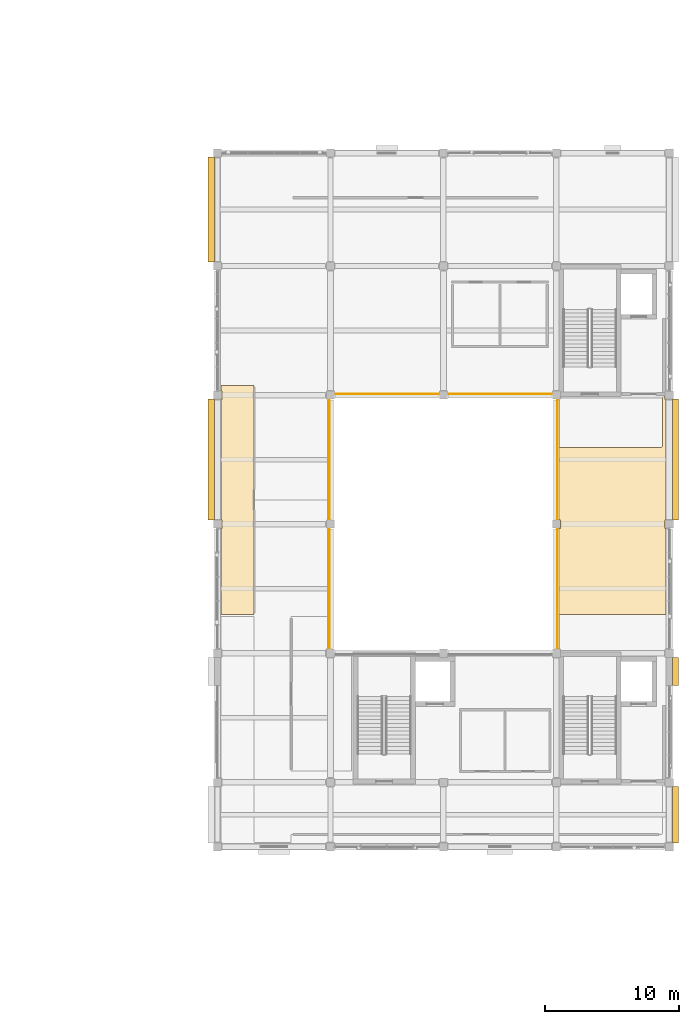
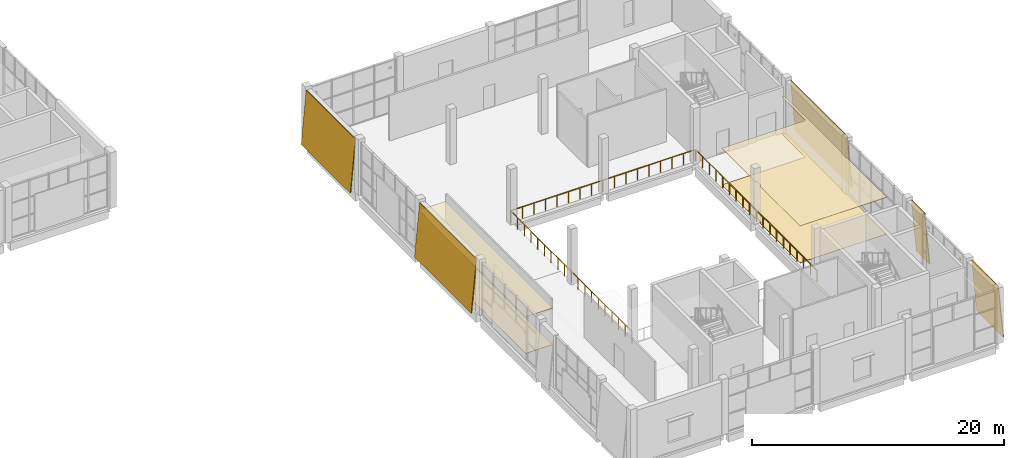
# One storey, part 56 of 57: 9 coverings, 3 railings.
"""IFC4 building model written with IfcOpenShell, lengths in metres."""

from ifc_helpers import new_model, si_unit, direction, frame, origin, origin_2d, place, context, subcontext, project, spatial, polyline, circle, outline, extrude, material, layer, layer_set, type_object, element, save


model = new_model("IFC4")

# Units and contexts
model_context = context("Model", 3, precision=1e-05, world=origin(), true_north=direction((0.0, 1.0)))
body_context = subcontext(model_context, "Body", "Model", "MODEL_VIEW")
ifc_project = project(units=[si_unit("LENGTHUNIT", "METRE"), si_unit("AREAUNIT", "SQUARE_METRE"), si_unit("VOLUMEUNIT", "CUBIC_METRE"), si_unit("PLANEANGLEUNIT", "RADIAN"), si_unit("MASSUNIT", "GRAM", prefix="KILO")], contexts=[model_context])

# Site, building, storey
site_placement = place(None, origin())
site = spatial("IfcSite", under=ifc_project, at=site_placement, CompositionType="ELEMENT")
building_placement = place(site_placement, origin())
building = spatial("IfcBuilding", under=site, at=building_placement, Name="Shalvenor Court Art Gallery", CompositionType="ELEMENT")
storey_placement = place(building_placement, frame((0.0, 0.0, 16.800048828125)))
storey = spatial("IfcBuildingStorey", under=building, at=storey_placement, Name="L03", CompositionType="ELEMENT", Elevation=16.800048828125)

# Coverings
ifc_material_1 = material(Name="Pale Mediterranean limestone cladding", Category="masonry")
ifc_layer_1 = layer(ifc_material_1, 0.080078125, Name="Pale Mediterranean limestone cladding")
ifc_layer_set_1 = layer_set([ifc_layer_1], Name="Pale Mediterranean limestone cladding")
covering_type_1 = type_object("IfcCoveringType", Name="CLD-01", PredefinedType="CLADDING", material=ifc_layer_set_1)
covering_1_placement = place(storey_placement, frame((177.093994140625, 69.89990234375, 0.0), z_axis=(0.0, 0.0, 1.0), x_axis=(0.0, 1.0, 0.0)))
element("IfcCovering", 1, at=covering_1_placement, inside=storey, type_object=covering_type_1, Name="L03 V1 Tapered Limestone Cladding 14", PredefinedType="CLADDING", context=body_context, shape_type="SweptSolid", body=[
    extrude(outline(polyline([(0.0, 0.0), (9.0, 0.0), (9.0, 5.120849609375), (0.0, 5.120849609375), (0.0, 0.0)])), frame((0.0, 0.0, 0.0), z_axis=(0.0, -0.995884398616, 0.090632580198), x_axis=(1.0, 0.0, 0.0)), (0.0, 0.090632580198, -0.995884398616), 0.080322265625),
])
covering_2_placement = place(storey_placement, frame((177.093994140625, 57.60009765625, 0.0), z_axis=(0.0, 0.0, 1.0), x_axis=(0.0, 1.0, 0.0)))
element("IfcCovering", 2, at=covering_2_placement, inside=storey, type_object=covering_type_1, Name="L03 V1 Tapered Limestone Cladding 15", PredefinedType="CLADDING", context=body_context, shape_type="SweptSolid", body=[
    extrude(outline(polyline([(0.0, 0.0), (2.099853515625, 0.0), (2.099853515625, 5.120849609375), (0.0, 5.120849609375), (0.0, 0.0)])), frame((0.0, 0.0, 0.0), z_axis=(0.0, -0.995884398616, 0.090632580198), x_axis=(1.0, 0.0, 0.0)), (0.0, 0.090632580198, -0.995884398616), 0.080322265625),
])
covering_3_placement = place(storey_placement, frame((177.093994140625, 45.89990234375, 0.0), z_axis=(0.0, 0.0, 1.0), x_axis=(0.0, 1.0, 0.0)))
element("IfcCovering", 3, at=covering_3_placement, inside=storey, type_object=covering_type_1, Name="L03 V1 Tapered Limestone Cladding 16", PredefinedType="CLADDING", context=body_context, shape_type="SweptSolid", body=[
    extrude(outline(polyline([(0.0, 0.0), (4.2001953125, 0.0), (4.2001953125, 5.120849609375), (0.0, 5.120849609375), (0.0, 0.0)])), frame((0.0, 0.0, 0.0), z_axis=(0.0, -0.995884398616, 0.090632580198), x_axis=(1.0, 0.0, 0.0)), (0.0, 0.090632580198, -0.995884398616), 0.080322265625),
])
covering_4_placement = place(storey_placement, frame((142.10595703125, 78.89990234375, 0.0), z_axis=(0.0, 0.0, 1.0), x_axis=(0.0, -1.0, 0.0)))
element("IfcCovering", 4, at=covering_4_placement, inside=storey, type_object=covering_type_1, Name="L03 V1 Tapered Limestone Cladding 19", PredefinedType="CLADDING", context=body_context, shape_type="SweptSolid", body=[
    extrude(outline(polyline([(0.0, 0.0), (9.0, 0.0), (9.0, 5.120849609375), (0.0, 5.120849609375), (0.0, 0.0)])), frame((0.0, 0.0, 0.0), z_axis=(0.0, -0.995884398616, 0.090632580198), x_axis=(1.0, 0.0, 0.0)), (0.0, 0.090632580198, -0.995884398616), 0.080322265625),
])
covering_5_placement = place(storey_placement, frame((142.10595703125, 96.89990234375, 0.0), z_axis=(0.0, 0.0, 1.0), x_axis=(0.0, -1.0, 0.0)))
element("IfcCovering", 5, at=covering_5_placement, inside=storey, type_object=covering_type_1, Name="L03 V1 Tapered Limestone Cladding 20", PredefinedType="CLADDING", context=body_context, shape_type="SweptSolid", body=[
    extrude(outline(polyline([(0.0, 0.0), (7.7998046875, 0.0), (7.7998046875, 5.120849609375), (0.0, 5.120849609375), (0.0, 0.0)])), frame((0.0, 0.0, 0.0), z_axis=(0.0, -0.995884398616, 0.090632580198), x_axis=(1.0, 0.0, 0.0)), (0.0, 0.090632580198, -0.995884398616), 0.080322265625),
])
ifc_material_2 = material(Name="Perforated acoustic gypsum gallery ceiling", Category="other")
ifc_layer_2 = layer(ifc_material_2, 0.044921875, Name="Perforated acoustic gypsum gallery ceiling")
ifc_layer_set_2 = layer_set([ifc_layer_2], Name="Perforated acoustic gypsum gallery ceiling")
covering_type_2 = type_object("IfcCoveringType", Name="CLG-01", PredefinedType="CEILING", material=ifc_layer_set_2)
covering_6_placement = place(storey_placement, frame((0.0, 0.0, 3.550048828125)))
element("IfcCovering", 6, at=covering_6_placement, inside=storey, type_object=covering_type_2, Name="L03 New Media Installation Studio Acoustic Ceiling", PredefinedType="CEILING", context=body_context, shape_type="SweptSolid", body=[
    extrude(outline(polyline([(175.800048828125, 75.320068359375), (175.807861328125, 75.3203125), (175.815673828125, 75.321533203125), (175.8232421875, 75.323486328125), (175.83056640625, 75.326171875), (175.837646484375, 75.329345703125), (175.844482421875, 75.33349609375), (175.850830078125, 75.338134765625), (175.856689453125, 75.343505859375), (175.86181640625, 75.34912109375), (175.866455078125, 75.355712890625), (175.87060546875, 75.3623046875), (175.873779296875, 75.369384765625), (175.876708984375, 75.376708984375), (175.87841796875, 75.384521484375), (175.879638671875, 75.39208984375), (175.8798828125, 75.39990234375), (175.8798828125, 79.080078125), (176.0, 79.080078125), (176.021484375, 79.0810546875), (176.04296875, 79.084228515625), (176.06396484375, 79.089599609375), (176.080078125, 79.09521484375), (176.080078125, 78.8798828125), (176.14990234375, 78.8798828125), (176.14990234375, 69.919921875), (176.080078125, 69.919921875), (176.080078125, 69.280029296875), (176.14990234375, 69.280029296875), (176.14990234375, 62.8798828125), (168.199951171875, 62.8798828125), (168.199951171875, 69.280029296875), (168.320068359375, 69.280029296875), (168.320068359375, 69.919921875), (168.199951171875, 69.919921875), (168.199951171875, 75.320068359375), (175.800048828125, 75.320068359375)])), origin(), (0.0, 0.0, 1.0), 0.044921875),
])
covering_7_placement = place(storey_placement, frame((0.0, 0.0, 3.550048828125)))
element("IfcCovering", 7, at=covering_7_placement, inside=storey, type_object=covering_type_2, Name="L03 New Media Installation Studio Wing B Acoustic Ceiling", PredefinedType="CEILING", context=body_context, shape_type="SweptSolid", body=[
    extrude(outline(polyline([(143.050048828125, 62.8798828125), (143.050048828125, 69.280029296875), (143.1201171875, 69.280029296875), (143.1201171875, 69.919921875), (143.050048828125, 69.919921875), (143.050048828125, 78.8798828125), (143.1201171875, 78.8798828125), (143.1201171875, 79.52001953125), (143.050048828125, 79.52001953125), (143.050048828125, 79.919921875), (145.52001953125, 79.919921875), (145.52001953125, 62.8798828125), (143.050048828125, 62.8798828125)])), origin(), (0.0, 0.0, 1.0), 0.044921875),
])
ifc_material_3 = material(Name="Quarter-sawn white oak gallery flooring", Category="wood")
ifc_layer_3 = layer(ifc_material_3, 0.031982421875, Name="Quarter-sawn white oak gallery flooring")
ifc_layer_set_3 = layer_set([ifc_layer_3], Name="Quarter-sawn white oak gallery flooring")
covering_type_3 = type_object("IfcCoveringType", Name="FLR-02", PredefinedType="FLOORING", material=ifc_layer_set_3)
covering_8_placement = place(storey_placement, origin())
element("IfcCovering", 8, at=covering_8_placement, inside=storey, type_object=covering_type_3, Name="L03 New Media Installation Studio Flooring", PredefinedType="FLOORING", context=body_context, shape_type="SweptSolid", body=[
    extrude(outline(polyline([(175.800048828125, 75.320068359375), (175.807861328125, 75.3203125), (175.815673828125, 75.321533203125), (175.8232421875, 75.323486328125), (175.83056640625, 75.326171875), (175.837646484375, 75.329345703125), (175.844482421875, 75.33349609375), (175.850830078125, 75.338134765625), (175.856689453125, 75.343505859375), (175.86181640625, 75.34912109375), (175.866455078125, 75.355712890625), (175.87060546875, 75.3623046875), (175.873779296875, 75.369384765625), (175.876708984375, 75.376708984375), (175.87841796875, 75.384521484375), (175.879638671875, 75.39208984375), (175.8798828125, 75.39990234375), (175.8798828125, 79.080078125), (176.0, 79.080078125), (176.021484375, 79.0810546875), (176.04296875, 79.084228515625), (176.06396484375, 79.089599609375), (176.080078125, 79.09521484375), (176.080078125, 78.8798828125), (176.14990234375, 78.8798828125), (176.14990234375, 69.919921875), (176.080078125, 69.919921875), (176.080078125, 69.280029296875), (176.14990234375, 69.280029296875), (176.14990234375, 62.8798828125), (168.199951171875, 62.8798828125), (168.199951171875, 69.280029296875), (168.320068359375, 69.280029296875), (168.320068359375, 69.919921875), (168.199951171875, 69.919921875), (168.199951171875, 75.320068359375), (175.800048828125, 75.320068359375)])), origin(), (0.0, 0.0, 1.0), 0.031982421875),
])
covering_9_placement = place(storey_placement, origin())
element("IfcCovering", 9, at=covering_9_placement, inside=storey, type_object=covering_type_3, Name="L03 New Media Installation Studio Wing B Flooring", PredefinedType="FLOORING", context=body_context, shape_type="SweptSolid", body=[
    extrude(outline(polyline([(143.050048828125, 62.8798828125), (143.050048828125, 69.280029296875), (143.1201171875, 69.280029296875), (143.1201171875, 69.919921875), (143.050048828125, 69.919921875), (143.050048828125, 78.8798828125), (143.1201171875, 78.8798828125), (143.1201171875, 79.52001953125), (143.050048828125, 79.52001953125), (143.050048828125, 79.919921875), (145.52001953125, 79.919921875), (145.52001953125, 62.8798828125), (143.050048828125, 62.8798828125)])), origin(), (0.0, 0.0, 1.0), 0.031982421875),
])

# Railings
ifc_material_4 = material(Name="Stainless steel and laminated glass balustrade", Category="steel")
railing_type = type_object("IfcRailingType", Name="GR-01", PredefinedType="BALUSTRADE", material=ifc_material_4)
railing_1_placement = place(storey_placement, frame((168.080078125, 59.97998046875, 0.0)))
element("IfcRailing", 10, at=railing_1_placement, inside=storey, type_object=railing_type, Name="L03 Atrium Gallery Balustrade 2", PredefinedType="BALUSTRADE", context=body_context, shape_type="SweptSolid", body=[
    extrude(circle(Radius=0.02392578125, at=origin_2d()), frame((0.0, 0.0, 1.09619140625), z_axis=(0.0, 1.0, 0.0), x_axis=(-1.0, 0.0, 0.0)), (0.0, 0.0, 1.0), 19.239990234375),
    extrude(circle(Radius=0.02099609375, at=origin_2d()), origin(), (0.0, 0.0, 1.0), 1.072021484375),
    extrude(circle(Radius=0.02099609375, at=origin_2d()), frame((0.0, 1.06884765625, 0.0)), (0.0, 0.0, 1.0), 1.072021484375),
    extrude(circle(Radius=0.02099609375, at=origin_2d()), frame((0.0, 2.1376953125, 0.0)), (0.0, 0.0, 1.0), 1.072021484375),
    extrude(circle(Radius=0.02099609375, at=origin_2d()), frame((0.0, 3.20654296875, 0.0)), (0.0, 0.0, 1.0), 1.072021484375),
    extrude(circle(Radius=0.02099609375, at=origin_2d()), frame((0.0, 4.275634765625, 0.0)), (0.0, 0.0, 1.0), 1.072021484375),
    extrude(circle(Radius=0.02099609375, at=origin_2d()), frame((0.0, 5.344482421875, 0.0)), (0.0, 0.0, 1.0), 1.072021484375),
    extrude(circle(Radius=0.02099609375, at=origin_2d()), frame((0.0, 6.413330078125, 0.0)), (0.0, 0.0, 1.0), 1.072021484375),
    extrude(circle(Radius=0.02099609375, at=origin_2d()), frame((0.0, 7.482177734375, 0.0)), (0.0, 0.0, 1.0), 1.072021484375),
    extrude(circle(Radius=0.02099609375, at=origin_2d()), frame((0.0, 8.551025390625, 0.0)), (0.0, 0.0, 1.0), 1.072021484375),
    extrude(circle(Radius=0.02099609375, at=origin_2d()), frame((0.0, 9.6201171875, 0.0)), (0.0, 0.0, 1.0), 1.072021484375),
    extrude(circle(Radius=0.02099609375, at=origin_2d()), frame((0.0, 10.68896484375, 0.0)), (0.0, 0.0, 1.0), 1.072021484375),
    extrude(circle(Radius=0.02099609375, at=origin_2d()), frame((0.0, 11.7578125, 0.0)), (0.0, 0.0, 1.0), 1.072021484375),
    extrude(circle(Radius=0.02099609375, at=origin_2d()), frame((0.0, 12.82666015625, 0.0)), (0.0, 0.0, 1.0), 1.072021484375),
    extrude(circle(Radius=0.02099609375, at=origin_2d()), frame((0.0, 13.8955078125, 0.0)), (0.0, 0.0, 1.0), 1.072021484375),
    extrude(circle(Radius=0.02099609375, at=origin_2d()), frame((0.0, 14.96435546875, 0.0)), (0.0, 0.0, 1.0), 1.072021484375),
    extrude(circle(Radius=0.02099609375, at=origin_2d()), frame((0.0, 16.033203125, 0.0)), (0.0, 0.0, 1.0), 1.072021484375),
    extrude(circle(Radius=0.02099609375, at=origin_2d()), frame((0.0, 17.102294921875, 0.0)), (0.0, 0.0, 1.0), 1.072021484375),
    extrude(circle(Radius=0.02099609375, at=origin_2d()), frame((0.0, 18.171142578125, 0.0)), (0.0, 0.0, 1.0), 1.072021484375),
    extrude(circle(Radius=0.02099609375, at=origin_2d()), frame((0.0, 19.239990234375, 0.0)), (0.0, 0.0, 1.0), 1.072021484375),
])
railing_2_placement = place(storey_placement, frame((168.02001953125, 79.280029296875, 0.0)))
element("IfcRailing", 11, at=railing_2_placement, inside=storey, type_object=railing_type, Name="L03 Atrium Gallery Balustrade 3", PredefinedType="BALUSTRADE", context=body_context, shape_type="SweptSolid", body=[
    extrude(circle(Radius=0.02392578125, at=origin_2d()), frame((0.0, 0.0, 1.09619140625), z_axis=(-1.0, 0.0, 0.0), x_axis=(0.0, -1.0, 0.0)), (0.0, 0.0, 1.0), 16.840087890625),
    extrude(circle(Radius=0.02099609375, at=origin_2d()), origin(), (0.0, 0.0, 1.0), 1.072021484375),
    extrude(circle(Radius=0.02099609375, at=origin_2d()), frame((-1.052490234375, 0.0, 0.0)), (0.0, 0.0, 1.0), 1.072021484375),
    extrude(circle(Radius=0.02099609375, at=origin_2d()), frame((-2.10498046875, 0.0, 0.0)), (0.0, 0.0, 1.0), 1.072021484375),
    extrude(circle(Radius=0.02099609375, at=origin_2d()), frame((-3.157470703125, 0.0, 0.0)), (0.0, 0.0, 1.0), 1.072021484375),
    extrude(circle(Radius=0.02099609375, at=origin_2d()), frame((-4.2099609375, 0.0, 0.0)), (0.0, 0.0, 1.0), 1.072021484375),
    extrude(circle(Radius=0.02099609375, at=origin_2d()), frame((-5.262451171875, 0.0, 0.0)), (0.0, 0.0, 1.0), 1.072021484375),
    extrude(circle(Radius=0.02099609375, at=origin_2d()), frame((-6.31494140625, 0.0, 0.0)), (0.0, 0.0, 1.0), 1.072021484375),
    extrude(circle(Radius=0.02099609375, at=origin_2d()), frame((-7.367431640625, 0.0, 0.0)), (0.0, 0.0, 1.0), 1.072021484375),
    extrude(circle(Radius=0.02099609375, at=origin_2d()), frame((-8.419921875, 0.0, 0.0)), (0.0, 0.0, 1.0), 1.072021484375),
    extrude(circle(Radius=0.02099609375, at=origin_2d()), frame((-9.47265625, 0.0, 0.0)), (0.0, 0.0, 1.0), 1.072021484375),
    extrude(circle(Radius=0.02099609375, at=origin_2d()), frame((-10.525146484375, 0.0, 0.0)), (0.0, 0.0, 1.0), 1.072021484375),
    extrude(circle(Radius=0.02099609375, at=origin_2d()), frame((-11.57763671875, 0.0, 0.0)), (0.0, 0.0, 1.0), 1.072021484375),
    extrude(circle(Radius=0.02099609375, at=origin_2d()), frame((-12.630126953125, 0.0, 0.0)), (0.0, 0.0, 1.0), 1.072021484375),
    extrude(circle(Radius=0.02099609375, at=origin_2d()), frame((-13.6826171875, 0.0, 0.0)), (0.0, 0.0, 1.0), 1.072021484375),
    extrude(circle(Radius=0.02099609375, at=origin_2d()), frame((-14.735107421875, 0.0, 0.0)), (0.0, 0.0, 1.0), 1.072021484375),
    extrude(circle(Radius=0.02099609375, at=origin_2d()), frame((-15.78759765625, 0.0, 0.0)), (0.0, 0.0, 1.0), 1.072021484375),
    extrude(circle(Radius=0.02099609375, at=origin_2d()), frame((-16.840087890625, 0.0, 0.0)), (0.0, 0.0, 1.0), 1.072021484375),
])
railing_3_placement = place(storey_placement, frame((151.1201171875, 79.219970703125, 0.0)))
element("IfcRailing", 12, at=railing_3_placement, inside=storey, type_object=railing_type, Name="L03 Atrium Gallery Balustrade 4", PredefinedType="BALUSTRADE", context=body_context, shape_type="SweptSolid", body=[
    extrude(circle(Radius=0.02392578125, at=origin_2d()), frame((0.0, 0.0, 1.09619140625), z_axis=(0.0, -1.0, 0.0), x_axis=(1.0, 0.0, 0.0)), (0.0, 0.0, 1.0), 19.239990234375),
    extrude(circle(Radius=0.02099609375, at=origin_2d()), origin(), (0.0, 0.0, 1.0), 1.072021484375),
    extrude(circle(Radius=0.02099609375, at=origin_2d()), frame((0.0, -1.06884765625, 0.0)), (0.0, 0.0, 1.0), 1.072021484375),
    extrude(circle(Radius=0.02099609375, at=origin_2d()), frame((0.0, -2.1376953125, 0.0)), (0.0, 0.0, 1.0), 1.072021484375),
    extrude(circle(Radius=0.02099609375, at=origin_2d()), frame((0.0, -3.20654296875, 0.0)), (0.0, 0.0, 1.0), 1.072021484375),
    extrude(circle(Radius=0.02099609375, at=origin_2d()), frame((0.0, -4.275634765625, 0.0)), (0.0, 0.0, 1.0), 1.072021484375),
    extrude(circle(Radius=0.02099609375, at=origin_2d()), frame((0.0, -5.344482421875, 0.0)), (0.0, 0.0, 1.0), 1.072021484375),
    extrude(circle(Radius=0.02099609375, at=origin_2d()), frame((0.0, -6.413330078125, 0.0)), (0.0, 0.0, 1.0), 1.072021484375),
    extrude(circle(Radius=0.02099609375, at=origin_2d()), frame((0.0, -7.482177734375, 0.0)), (0.0, 0.0, 1.0), 1.072021484375),
    extrude(circle(Radius=0.02099609375, at=origin_2d()), frame((0.0, -8.551025390625, 0.0)), (0.0, 0.0, 1.0), 1.072021484375),
    extrude(circle(Radius=0.02099609375, at=origin_2d()), frame((0.0, -9.6201171875, 0.0)), (0.0, 0.0, 1.0), 1.072021484375),
    extrude(circle(Radius=0.02099609375, at=origin_2d()), frame((0.0, -10.68896484375, 0.0)), (0.0, 0.0, 1.0), 1.072021484375),
    extrude(circle(Radius=0.02099609375, at=origin_2d()), frame((0.0, -11.7578125, 0.0)), (0.0, 0.0, 1.0), 1.072021484375),
    extrude(circle(Radius=0.02099609375, at=origin_2d()), frame((0.0, -12.82666015625, 0.0)), (0.0, 0.0, 1.0), 1.072021484375),
    extrude(circle(Radius=0.02099609375, at=origin_2d()), frame((0.0, -13.8955078125, 0.0)), (0.0, 0.0, 1.0), 1.072021484375),
    extrude(circle(Radius=0.02099609375, at=origin_2d()), frame((0.0, -14.96435546875, 0.0)), (0.0, 0.0, 1.0), 1.072021484375),
    extrude(circle(Radius=0.02099609375, at=origin_2d()), frame((0.0, -16.033203125, 0.0)), (0.0, 0.0, 1.0), 1.072021484375),
    extrude(circle(Radius=0.02099609375, at=origin_2d()), frame((0.0, -17.102294921875, 0.0)), (0.0, 0.0, 1.0), 1.072021484375),
    extrude(circle(Radius=0.02099609375, at=origin_2d()), frame((0.0, -18.171142578125, 0.0)), (0.0, 0.0, 1.0), 1.072021484375),
    extrude(circle(Radius=0.02099609375, at=origin_2d()), frame((0.0, -19.239990234375, 0.0)), (0.0, 0.0, 1.0), 1.072021484375),
])

save(model, "model.ifc")
